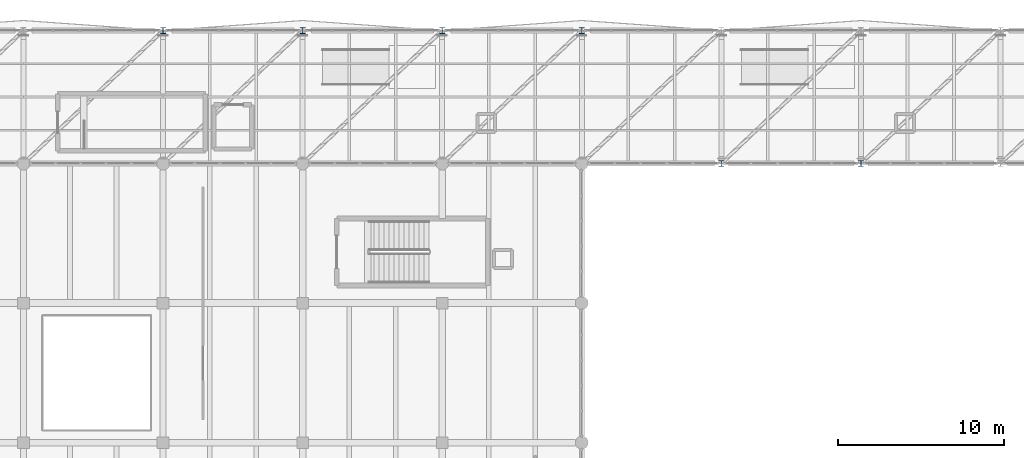
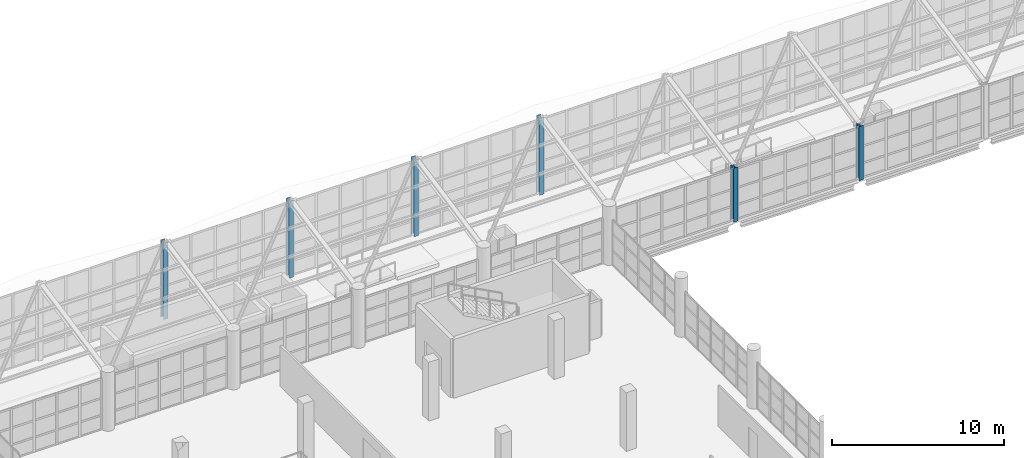
# One storey, part 4 of 177: 6 columns.
"""IFC4 building model written with IfcOpenShell, lengths in metres."""

from ifc_helpers import new_model, si_unit, direction, frame, origin, origin_2d, place, context, subcontext, project, spatial, i_section, extrude, material, material_profile, profile_set, type_object, element, save


model = new_model("IFC4")

# Units and contexts
model_context = context("Model", 3, precision=1e-05, world=origin(), true_north=direction((0.0, 1.0)))
body_context = subcontext(model_context, "Body", "Model", "MODEL_VIEW")
ifc_project = project(units=[si_unit("LENGTHUNIT", "METRE"), si_unit("AREAUNIT", "SQUARE_METRE"), si_unit("VOLUMEUNIT", "CUBIC_METRE"), si_unit("PLANEANGLEUNIT", "RADIAN"), si_unit("MASSUNIT", "GRAM", prefix="KILO"), si_unit("THERMODYNAMICTEMPERATUREUNIT", "KELVIN"), si_unit("POWERUNIT", "WATT")], contexts=[model_context])

# Site, building, storey
site_placement = place(None, origin())
site = spatial("IfcSite", under=ifc_project, at=site_placement, CompositionType="ELEMENT")
building_placement = place(site_placement, origin())
building = spatial("IfcBuilding", under=site, at=building_placement, Name="Mavoryth Pier Ferry Terminal", CompositionType="ELEMENT")
storey_placement = place(building_placement, frame((0.0, 0.0, 5.43994140625)))
storey = spatial("IfcBuildingStorey", under=building, at=storey_placement, Name="L01", CompositionType="ELEMENT", Elevation=5.43994140625)

# Columns
ifc_material = material(Name="Steel S355J2", Category="steel")
ifc_material_profile = material_profile(ifc_material, i_section(OverallWidth=0.300048828125, OverallDepth=0.360107421875, WebThickness=0.012451171875, FlangeThickness=0.0224609375, FilletRadius=0.027099609375, at=origin_2d()), Name="HEB 360", Category="steel")
ifc_profile_set = profile_set([ifc_material_profile], Name="Steel S355J2 - HEB 360")
column_type = type_object("IfcColumnType", Name="Col-SteelBridge-HEB360", PredefinedType="COLUMN", material=ifc_profile_set)
for number, where, z_axis, x_axis, name in (
    (1, (67.199951171875, 114.0, 0.0), (0.0, 0.0, 1.0), (1.0, 0.0, 0.0), "Column C01-SC03-264"),
    (2, (75.60009765625, 114.0, 0.0), (0.0, 0.0, 1.0), (1.0, 0.0, 0.0), "Column C01-SC03-266"),
    (3, (84.0, 114.0, 0.0), (0.0, 0.0, 1.0), (1.0, 0.0, 0.0), "Column C01-SC03-268"),
    (4, (92.39990234375, 114.0, 0.0), (0.0, 0.0, 1.0), (1.0, 0.0, 0.0), "Column C01-SC03-270"),
):
    element("IfcColumn", number, at=place(storey_placement, frame(where, z_axis=z_axis, x_axis=x_axis)), inside=storey, type_object=column_type, Name=name, PredefinedType="COLUMN", context=body_context, shape_type="SweptSolid", body=[
        extrude(i_section(OverallWidth=0.300048828125, OverallDepth=0.360107421875, WebThickness=0.012451171875, FlangeThickness=0.0224609375, FilletRadius=0.027099609375, at=origin_2d()), origin(), (0.0, 0.0, 1.0), 5.4677734375),
    ])
for number, where, z_axis, x_axis, name in (
    (5, (100.800048828125, 106.0, 0.0), (0.0, 0.0, 1.0), (1.0, 0.0, 0.0), "Column C01-SC03-272"),
    (6, (109.199951171875, 106.0, 0.0), (0.0, 0.0, 1.0), (1.0, 0.0, 0.0), "Column C01-SC03-276"),
):
    element("IfcColumn", number, at=place(storey_placement, frame(where, z_axis=z_axis, x_axis=x_axis)), inside=storey, type_object=column_type, Name=name, PredefinedType="COLUMN", context=body_context, shape_type="SweptSolid", body=[
        extrude(i_section(OverallWidth=0.300048828125, OverallDepth=0.360107421875, WebThickness=0.012451171875, FlangeThickness=0.0224609375, FilletRadius=0.027099609375, at=origin_2d()), origin(), (0.0, 0.0, 1.0), 3.840087890625),
    ])

save(model, "model.ifc")
